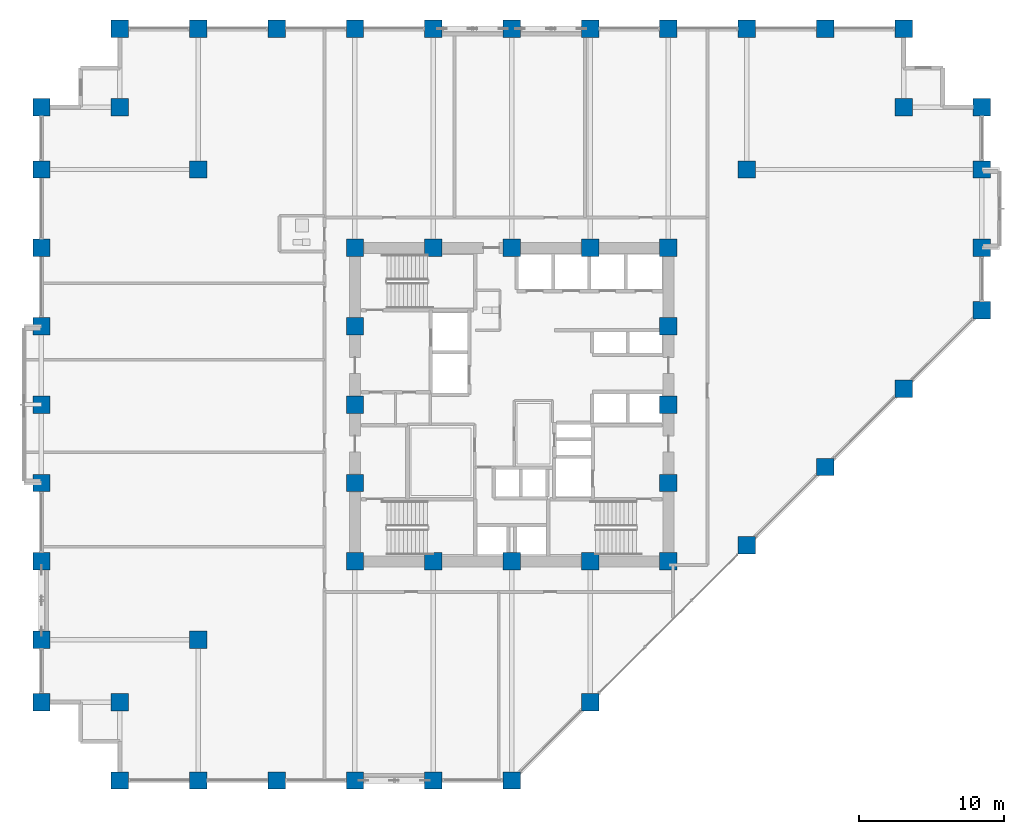
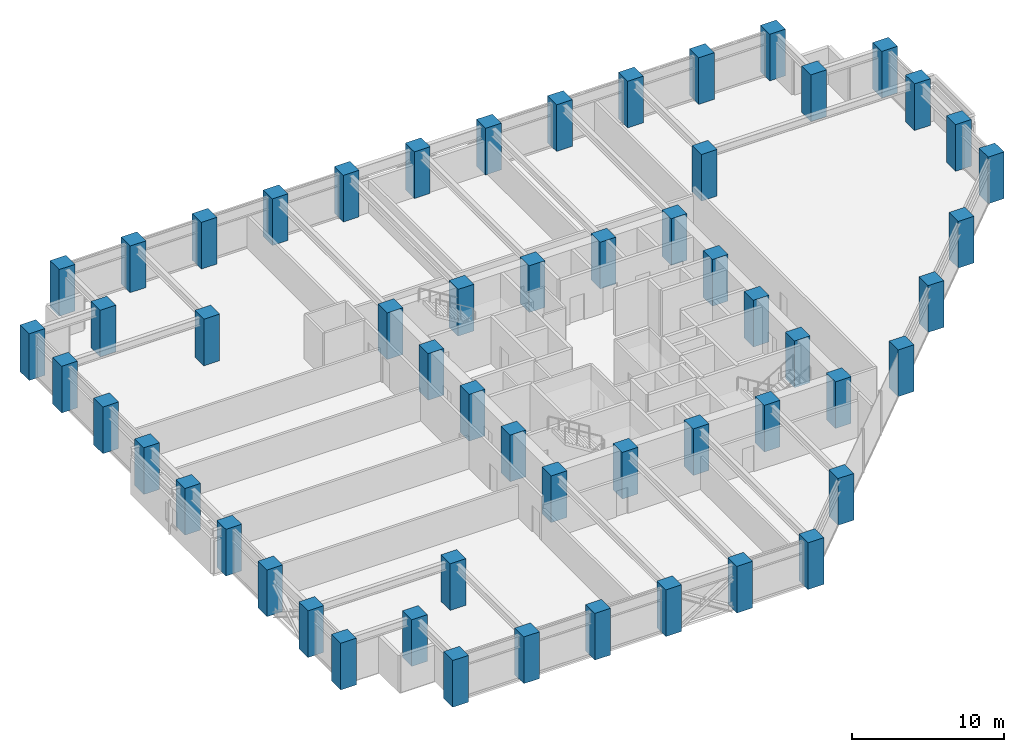
# One storey, part 1 of 26: 56 columns.
"""IFC4 building model written with IfcOpenShell, lengths in metres."""

from ifc_helpers import new_model, si_unit, direction, frame, origin, origin_2d, place, context, subcontext, project, spatial, rectangle, extrude, material, material_profile, profile_set, type_object, element, save


model = new_model("IFC4")

# Units and contexts
model_context = context("Model", 3, precision=1e-05, world=origin(), true_north=direction((0.0, 1.0)))
body_context = subcontext(model_context, "Body", "Model", "MODEL_VIEW")
ifc_project = project(units=[si_unit("LENGTHUNIT", "METRE"), si_unit("AREAUNIT", "SQUARE_METRE"), si_unit("VOLUMEUNIT", "CUBIC_METRE"), si_unit("PLANEANGLEUNIT", "RADIAN"), si_unit("MASSUNIT", "GRAM", prefix="KILO")], contexts=[model_context])

# Site, building, storey
site_placement = place(None, origin())
site = spatial("IfcSite", under=ifc_project, at=site_placement, CompositionType="ELEMENT")
building_placement = place(site_placement, origin())
building = spatial("IfcBuilding", under=site, at=building_placement, Name="Surkhivell Harbour Commons", CompositionType="ELEMENT")
storey_placement = place(building_placement, frame((0.0, 0.0, 60.0)))
storey = spatial("IfcBuildingStorey", under=building, at=storey_placement, Name="L15", CompositionType="ELEMENT", Elevation=60.0)

# Columns
ifc_material = material(Name="Concrete C80/95", Category="concrete")
ifc_material_profile = material_profile(ifc_material, rectangle(XDim=1.199951171875, YDim=1.199951171875, at=origin_2d()), Name="RC-COL-1200x1200")
ifc_profile_set = profile_set([ifc_material_profile], Name="Concrete C80/95")
column_type = type_object("IfcColumnType", Name="COL-TUBE-Z1B", PredefinedType="COLUMN", material=ifc_profile_set)
for number, where, z_axis, x_axis, name in (
    (1, (-32.39990234375, -20.5, 0.0), (0.0, 0.0, 1.0), (1.0, 0.0, 0.0), "L15 Column CT-1B (-32.4,-20.5)"),
    (2, (-32.39990234375, -16.199951171875, 0.0), (0.0, 0.0, 1.0), (1.0, 0.0, 0.0), "L15 Column CT-1B (-32.4,-16.2)"),
    (3, (-32.39990234375, -10.800048828125, 0.0), (0.0, 0.0, 1.0), (1.0, 0.0, 0.0), "L15 Column CT-1B (-32.4,-10.8)"),
    (4, (-32.39990234375, -5.39990234375, 0.0), (0.0, 0.0, 1.0), (1.0, 0.0, 0.0), "L15 Column CT-1B (-32.4,-5.4)"),
    (5, (-32.39990234375, 0.0, 0.0), (0.0, 0.0, 1.0), (1.0, 0.0, 0.0), "L15 Column CT-1B (-32.4,0.0)"),
    (6, (-32.39990234375, 5.39990234375, 0.0), (0.0, 0.0, 1.0), (1.0, 0.0, 0.0), "L15 Column CT-1B (-32.4,5.4)"),
    (7, (-32.39990234375, 10.800048828125, 0.0), (0.0, 0.0, 1.0), (1.0, 0.0, 0.0), "L15 Column CT-1B (-32.4,10.8)"),
    (8, (-32.39990234375, 16.199951171875, 0.0), (0.0, 0.0, 1.0), (1.0, 0.0, 0.0), "L15 Column CT-1B (-32.4,16.2)"),
    (9, (-32.39990234375, 20.5, 0.0), (0.0, 0.0, 1.0), (1.0, 0.0, 0.0), "L15 Column CT-1B (-32.4,20.5)"),
    (10, (-27.0, -25.89990234375, 0.0), (0.0, 0.0, 1.0), (1.0, 0.0, 0.0), "L15 Column CT-1B (-27.0,-25.9)"),
    (11, (-27.0, -20.5, 0.0), (0.0, 0.0, 1.0), (1.0, 0.0, 0.0), "L15 Column CT-1B (-27.0,-20.5)"),
    (12, (-27.0, 20.5, 0.0), (0.0, 0.0, 1.0), (1.0, 0.0, 0.0), "L15 Column CT-1B (-27.0,20.5)"),
    (13, (-27.0, 25.89990234375, 0.0), (0.0, 0.0, 1.0), (1.0, 0.0, 0.0), "L15 Column CT-1B (-27.0,25.9)"),
    (14, (-21.60009765625, -25.89990234375, 0.0), (0.0, 0.0, 1.0), (1.0, 0.0, 0.0), "L15 Column CT-1B (-21.6,-25.9)"),
    (15, (-21.60009765625, -16.199951171875, 0.0), (0.0, 0.0, 1.0), (1.0, 0.0, 0.0), "L15 Column CT-1B (-21.6,-16.2)"),
    (16, (-21.60009765625, 16.199951171875, 0.0), (0.0, 0.0, 1.0), (1.0, 0.0, 0.0), "L15 Column CT-1B (-21.6,16.2)"),
    (17, (-21.60009765625, 25.89990234375, 0.0), (0.0, 0.0, 1.0), (1.0, 0.0, 0.0), "L15 Column CT-1B (-21.6,25.9)"),
    (18, (-16.199951171875, -25.89990234375, 0.0), (0.0, 0.0, 1.0), (1.0, 0.0, 0.0), "L15 Column CT-1B (-16.2,-25.9)"),
    (19, (-16.199951171875, 25.89990234375, 0.0), (0.0, 0.0, 1.0), (1.0, 0.0, 0.0), "L15 Column CT-1B (-16.2,25.9)"),
    (20, (-10.800048828125, -25.89990234375, 0.0), (0.0, 0.0, 1.0), (1.0, 0.0, 0.0), "L15 Column CT-1B (-10.8,-25.9)"),
    (21, (-10.800048828125, -10.800048828125, 0.0), (0.0, 0.0, 1.0), (1.0, 0.0, 0.0), "L15 Column CT-1B (-10.8,-10.8)"),
    (22, (-10.800048828125, -5.39990234375, 0.0), (0.0, 0.0, 1.0), (1.0, 0.0, 0.0), "L15 Column CT-1B (-10.8,-5.4)"),
    (23, (-10.800048828125, 0.0, 0.0), (0.0, 0.0, 1.0), (1.0, 0.0, 0.0), "L15 Column CT-1B (-10.8,0.0)"),
    (24, (-10.800048828125, 5.39990234375, 0.0), (0.0, 0.0, 1.0), (1.0, 0.0, 0.0), "L15 Column CT-1B (-10.8,5.4)"),
    (25, (-10.800048828125, 10.800048828125, 0.0), (0.0, 0.0, 1.0), (1.0, 0.0, 0.0), "L15 Column CT-1B (-10.8,10.8)"),
    (26, (-10.800048828125, 25.89990234375, 0.0), (0.0, 0.0, 1.0), (1.0, 0.0, 0.0), "L15 Column CT-1B (-10.8,25.9)"),
    (27, (-5.39990234375, -25.89990234375, 0.0), (0.0, 0.0, 1.0), (1.0, 0.0, 0.0), "L15 Column CT-1B (-5.4,-25.9)"),
    (28, (-5.39990234375, -10.800048828125, 0.0), (0.0, 0.0, 1.0), (1.0, 0.0, 0.0), "L15 Column CT-1B (-5.4,-10.8)"),
    (29, (-5.39990234375, 10.800048828125, 0.0), (0.0, 0.0, 1.0), (1.0, 0.0, 0.0), "L15 Column CT-1B (-5.4,10.8)"),
    (30, (-5.39990234375, 25.89990234375, 0.0), (0.0, 0.0, 1.0), (1.0, 0.0, 0.0), "L15 Column CT-1B (-5.4,25.9)"),
    (31, (0.0, -25.89990234375, 0.0), (0.0, 0.0, 1.0), (1.0, 0.0, 0.0), "L15 Column CT-1B (-0.0,-25.9)"),
    (32, (0.0, -10.800048828125, 0.0), (0.0, 0.0, 1.0), (1.0, 0.0, 0.0), "L15 Column CT-1B (0.0,-10.8)"),
    (33, (0.0, 10.800048828125, 0.0), (0.0, 0.0, 1.0), (1.0, 0.0, 0.0), "L15 Column CT-1B (0.0,10.8)"),
    (34, (0.0, 25.89990234375, 0.0), (0.0, 0.0, 1.0), (1.0, 0.0, 0.0), "L15 Column CT-1B (-0.0,25.9)"),
    (35, (5.39990234375, -20.5, 0.0), (0.0, 0.0, 1.0), (1.0, 0.0, 0.0), "L15 Column CT-1B (5.4,-20.5)"),
    (36, (5.39990234375, -10.800048828125, 0.0), (0.0, 0.0, 1.0), (1.0, 0.0, 0.0), "L15 Column CT-1B (5.4,-10.8)"),
    (37, (5.39990234375, 10.800048828125, 0.0), (0.0, 0.0, 1.0), (1.0, 0.0, 0.0), "L15 Column CT-1B (5.4,10.8)"),
    (38, (5.39990234375, 25.89990234375, 0.0), (0.0, 0.0, 1.0), (1.0, 0.0, 0.0), "L15 Column CT-1B (5.4,25.9)"),
    (39, (10.800048828125, -10.800048828125, 0.0), (0.0, 0.0, 1.0), (1.0, 0.0, 0.0), "L15 Column CT-1B (10.8,-10.8)"),
    (40, (10.800048828125, -5.39990234375, 0.0), (0.0, 0.0, 1.0), (1.0, 0.0, 0.0), "L15 Column CT-1B (10.8,-5.4)"),
    (41, (10.800048828125, 0.0, 0.0), (0.0, 0.0, 1.0), (1.0, 0.0, 0.0), "L15 Column CT-1B (10.8,0.0)"),
    (42, (10.800048828125, 5.39990234375, 0.0), (0.0, 0.0, 1.0), (1.0, 0.0, 0.0), "L15 Column CT-1B (10.8,5.4)"),
    (43, (10.800048828125, 10.800048828125, 0.0), (0.0, 0.0, 1.0), (1.0, 0.0, 0.0), "L15 Column CT-1B (10.8,10.8)"),
    (44, (10.800048828125, 25.89990234375, 0.0), (0.0, 0.0, 1.0), (1.0, 0.0, 0.0), "L15 Column CT-1B (10.8,25.9)"),
    (45, (16.199951171875, -9.699951171875, 0.0), (0.0, 0.0, 1.0), (1.0, 0.0, 0.0), "L15 Column CT-1B (16.2,-9.7)"),
    (46, (16.199951171875, 16.199951171875, 0.0), (0.0, 0.0, 1.0), (1.0, 0.0, 0.0), "L15 Column CT-1B (16.2,16.2)"),
    (47, (16.199951171875, 25.89990234375, 0.0), (0.0, 0.0, 1.0), (1.0, 0.0, 0.0), "L15 Column CT-1B (16.2,25.9)"),
    (48, (21.60009765625, -4.300048828125, 0.0), (0.0, 0.0, 1.0), (1.0, 0.0, 0.0), "L15 Column CT-1B (21.6,-4.3)"),
    (49, (21.60009765625, 25.89990234375, 0.0), (0.0, 0.0, 1.0), (1.0, 0.0, 0.0), "L15 Column CT-1B (21.6,25.9)"),
    (50, (27.0, 1.10009765625, 0.0), (0.0, 0.0, 1.0), (1.0, 0.0, 0.0), "L15 Column CT-1B (27.0,1.1)"),
    (51, (27.0, 20.5, 0.0), (0.0, 0.0, 1.0), (1.0, 0.0, 0.0), "L15 Column CT-1B (27.0,20.5)"),
    (52, (27.0, 25.89990234375, 0.0), (0.0, 0.0, 1.0), (1.0, 0.0, 0.0), "L15 Column CT-1B (27.0,25.9)"),
    (53, (32.39990234375, 6.5, 0.0), (0.0, 0.0, 1.0), (1.0, 0.0, 0.0), "L15 Column CT-1B (32.4,6.5)"),
    (54, (32.39990234375, 10.800048828125, 0.0), (0.0, 0.0, 1.0), (1.0, 0.0, 0.0), "L15 Column CT-1B (32.4,10.8)"),
    (55, (32.39990234375, 16.199951171875, 0.0), (0.0, 0.0, 1.0), (1.0, 0.0, 0.0), "L15 Column CT-1B (32.4,16.2)"),
    (56, (32.39990234375, 20.5, 0.0), (0.0, 0.0, 1.0), (1.0, 0.0, 0.0), "L15 Column CT-1B (32.4,20.5)"),
):
    element("IfcColumn", number, at=place(storey_placement, frame(where, z_axis=z_axis, x_axis=x_axis)), inside=storey, type_object=column_type, Name=name, PredefinedType="COLUMN", context=body_context, shape_type="SweptSolid", body=[
        extrude(rectangle(XDim=1.199951171875, YDim=1.199951171875, at=origin_2d()), origin(), (0.0, 0.0, 1.0), 3.75),
    ])

save(model, "model.ifc")
